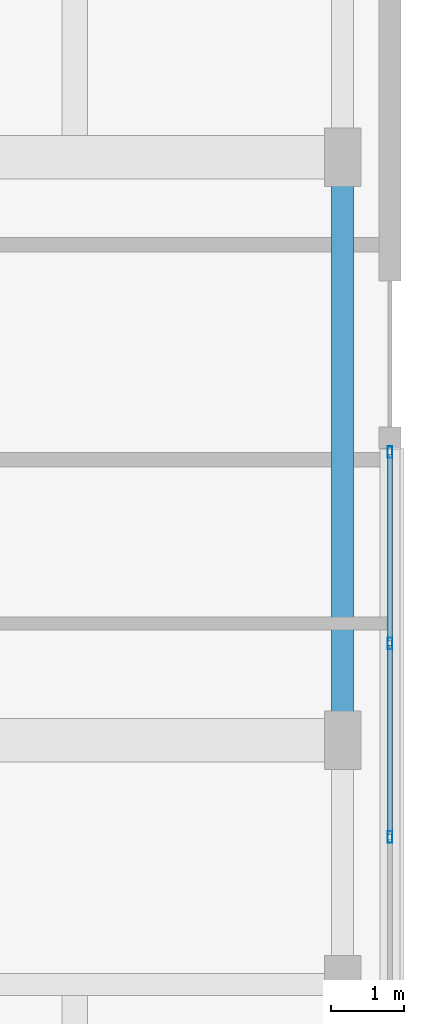
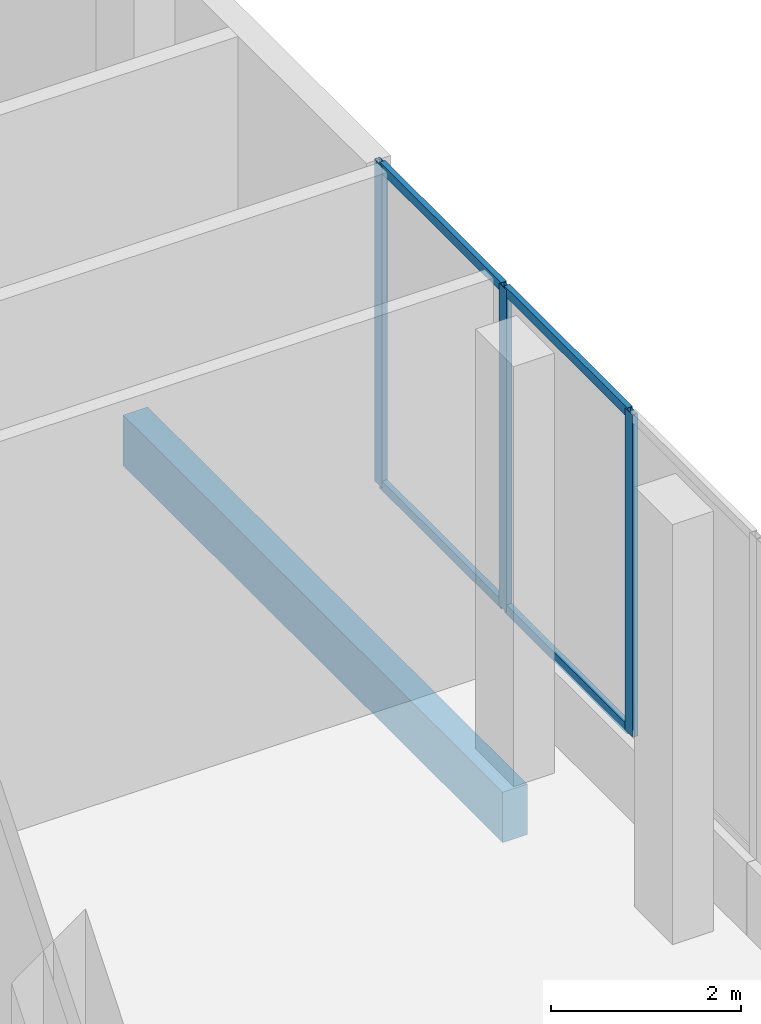
# One storey, part 106 of 158: 7 members, 1 beam, 1 element without a shape of its own.
"""IFC4 building model written with IfcOpenShell, lengths in metres."""

from ifc_helpers import new_model, si_unit, direction, frame, origin, origin_2d, place, context, subcontext, project, spatial, rectangle, hollow_rectangle, extrude, material, material_profile, profile_set, type_object, element, aggregate, save


model = new_model("IFC4")

# Units and contexts
model_context = context("Model", 3, precision=1e-05, world=origin(), true_north=direction((0.0, 1.0)))
body_context = subcontext(model_context, "Body", "Model", "MODEL_VIEW")
ifc_project = project(units=[si_unit("LENGTHUNIT", "METRE"), si_unit("AREAUNIT", "SQUARE_METRE"), si_unit("VOLUMEUNIT", "CUBIC_METRE"), si_unit("PLANEANGLEUNIT", "RADIAN"), si_unit("MASSUNIT", "GRAM", prefix="KILO")], contexts=[model_context])

# Site, building, storey
site_placement = place(None, origin())
site = spatial("IfcSite", under=ifc_project, at=site_placement, CompositionType="ELEMENT")
building_placement = place(site_placement, origin())
building = spatial("IfcBuilding", under=site, at=building_placement, Name="Selatvlak General Hospital", CompositionType="ELEMENT")
storey_placement = place(building_placement, origin())
storey = spatial("IfcBuildingStorey", under=building, at=storey_placement, Name="L00", CompositionType="ELEMENT", Elevation=0.0)

# Beam
ifc_material_1 = material(Name="Concrete C40/50", Category="concrete")
ifc_material_profile_1 = material_profile(ifc_material_1, rectangle(XDim=0.300048828125, YDim=0.64990234375, at=origin_2d()), Name="RC-SP 300x650")
ifc_profile_set_1 = profile_set([ifc_material_profile_1], Name="Concrete C40/50")
beam_type = type_object("IfcBeamType", Name="BM-SP1", PredefinedType="SPANDREL", material=ifc_profile_set_1)
beam_placement = place(storey_placement, frame((181.35009765625, 76.0, -0.675048828125), z_axis=(0.0, 1.0, 0.0), x_axis=(-1.0, 0.0, 0.0)))
element("IfcBeam", 1, at=beam_placement, inside=storey, type_object=beam_type, Name="Beam BMR-L00-0305", PredefinedType="SPANDREL", context=body_context, shape_type="SweptSolid", body=[
    extrude(rectangle(XDim=0.300048828125, YDim=0.64990234375, at=origin_2d()), origin(), (0.0, 0.0, 1.0), 8.0),
])

# Curtain wall, members
ifc_material_2 = material(Name="Solar-control Low-E double glazing", Category="glass")
curtain_wall_type = type_object("IfcCurtainWallType", Name="CW-CW-01", PredefinedType="USERDEFINED", material=ifc_material_2)
curtain_wall_placement = place(storey_placement, origin())
curtain_wall = element("IfcCurtainWall", 2, at=curtain_wall_placement, inside=storey, type_object=curtain_wall_type, Name="Glazed facade curtain wall CW-L00-0016", ObjectType="UNITISED CURTAIN WALL", PredefinedType="USERDEFINED")
ifc_material_3 = material(Name="Dark anodised aluminium mullion", Category="aluminium")
ifc_material_profile_2 = material_profile(ifc_material_3, hollow_rectangle(XDim=0.06494140625, YDim=0.159912109375, WallThickness=0.00390625, at=origin_2d()), Name="AL-MUL 65x160x4")
ifc_profile_set_2 = profile_set([ifc_material_profile_2], Name="Dark anodised aluminium mullion")
member_type_1 = type_object("IfcMemberType", Name="CWM-01", PredefinedType="MULLION", material=ifc_profile_set_2)
member_1_placement = place(storey_placement, frame((182.0, 79.95361328125, 0.93994140625), z_axis=(0.0, 0.0, 1.0), x_axis=(1.0, 0.0, 0.0)))
member_1 = element("IfcMember", 3, at=member_1_placement, type_object=member_type_1, Name="CW-01 mullion 1", PredefinedType="MULLION", context=body_context, shape_type="SweptSolid", body=[
    extrude(hollow_rectangle(XDim=0.06494140625, YDim=0.159912109375, WallThickness=0.00390625, at=origin_2d()), origin(), (0.0, 0.0, 1.0), 4.14013671875),
])
member_2_placement = place(storey_placement, frame((182.0, 77.329345703125, 0.93994140625), z_axis=(0.0, 0.0, 1.0), x_axis=(1.0, 0.0, 0.0)))
member_2 = element("IfcMember", 4, at=member_2_placement, type_object=member_type_1, Name="CW-01 mullion 2", PredefinedType="MULLION", context=body_context, shape_type="SweptSolid", body=[
    extrude(hollow_rectangle(XDim=0.06494140625, YDim=0.159912109375, WallThickness=0.00390625, at=origin_2d()), origin(), (0.0, 0.0, 1.0), 4.14013671875),
])
member_3_placement = place(storey_placement, frame((182.0, 74.672607421875, 0.93994140625), z_axis=(0.0, 0.0, 1.0), x_axis=(1.0, 0.0, 0.0)))
member_3 = element("IfcMember", 5, at=member_3_placement, type_object=member_type_1, Name="CW-01 mullion 3", PredefinedType="MULLION", context=body_context, shape_type="SweptSolid", body=[
    extrude(hollow_rectangle(XDim=0.06494140625, YDim=0.159912109375, WallThickness=0.00390625, at=origin_2d()), origin(), (0.0, 0.0, 1.0), 4.14013671875),
])
ifc_material_profile_3 = material_profile(ifc_material_3, hollow_rectangle(XDim=0.06494140625, YDim=0.1201171875, WallThickness=0.00390625, at=origin_2d()), Name="AL-TRN 65x120x4")
ifc_profile_set_3 = profile_set([ifc_material_profile_3], Name="Dark anodised aluminium mullion")
member_type_2 = type_object("IfcMemberType", Name="CWT-01", PredefinedType="USERDEFINED", material=ifc_profile_set_3)
member_4_placement = place(storey_placement, frame((182.0, 79.9208984375, 0.972412109375), z_axis=(0.0, -1.0, 0.0), x_axis=(1.0, 0.0, 0.0)))
member_4 = element("IfcMember", 6, at=member_4_placement, type_object=member_type_2, Name="CW-01 transom 1.1", ObjectType="TRANSOM", PredefinedType="USERDEFINED", context=body_context, shape_type="SweptSolid", body=[
    extrude(hollow_rectangle(XDim=0.06494140625, YDim=0.1201171875, WallThickness=0.00390625, at=origin_2d()), origin(), (0.0, 0.0, 1.0), 2.55908203125),
])
member_5_placement = place(storey_placement, frame((182.0, 79.9208984375, 5.047607421875), z_axis=(0.0, -1.0, 0.0), x_axis=(1.0, 0.0, 0.0)))
member_5 = element("IfcMember", 7, at=member_5_placement, type_object=member_type_2, Name="CW-01 transom 1.2", ObjectType="TRANSOM", PredefinedType="USERDEFINED", context=body_context, shape_type="SweptSolid", body=[
    extrude(hollow_rectangle(XDim=0.06494140625, YDim=0.1201171875, WallThickness=0.00390625, at=origin_2d()), origin(), (0.0, 0.0, 1.0), 2.55908203125),
])
member_6_placement = place(storey_placement, frame((182.0, 77.296875, 0.972412109375), z_axis=(0.0, -1.0, 0.0), x_axis=(1.0, 0.0, 0.0)))
member_6 = element("IfcMember", 8, at=member_6_placement, type_object=member_type_2, Name="CW-01 transom 2.1", ObjectType="TRANSOM", PredefinedType="USERDEFINED", context=body_context, shape_type="SweptSolid", body=[
    extrude(hollow_rectangle(XDim=0.06494140625, YDim=0.1201171875, WallThickness=0.00390625, at=origin_2d()), origin(), (0.0, 0.0, 1.0), 2.591796875),
])
member_7_placement = place(storey_placement, frame((182.0, 77.296875, 5.047607421875), z_axis=(0.0, -1.0, 0.0), x_axis=(1.0, 0.0, 0.0)))
member_7 = element("IfcMember", 9, at=member_7_placement, type_object=member_type_2, Name="CW-01 transom 2.2", ObjectType="TRANSOM", PredefinedType="USERDEFINED", context=body_context, shape_type="SweptSolid", body=[
    extrude(hollow_rectangle(XDim=0.06494140625, YDim=0.1201171875, WallThickness=0.00390625, at=origin_2d()), origin(), (0.0, 0.0, 1.0), 2.591796875),
])
aggregate(curtain_wall, [member_1, member_2, member_3, member_4, member_5, member_6, member_7])

save(model, "model.ifc")
